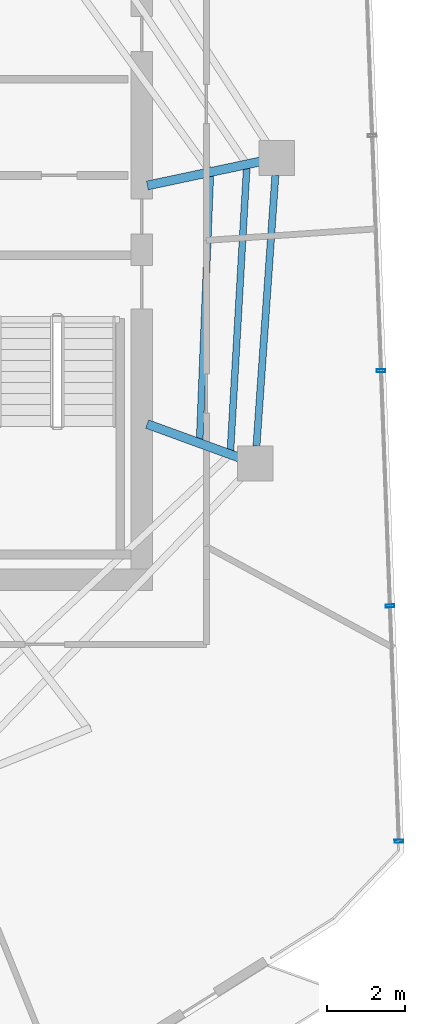
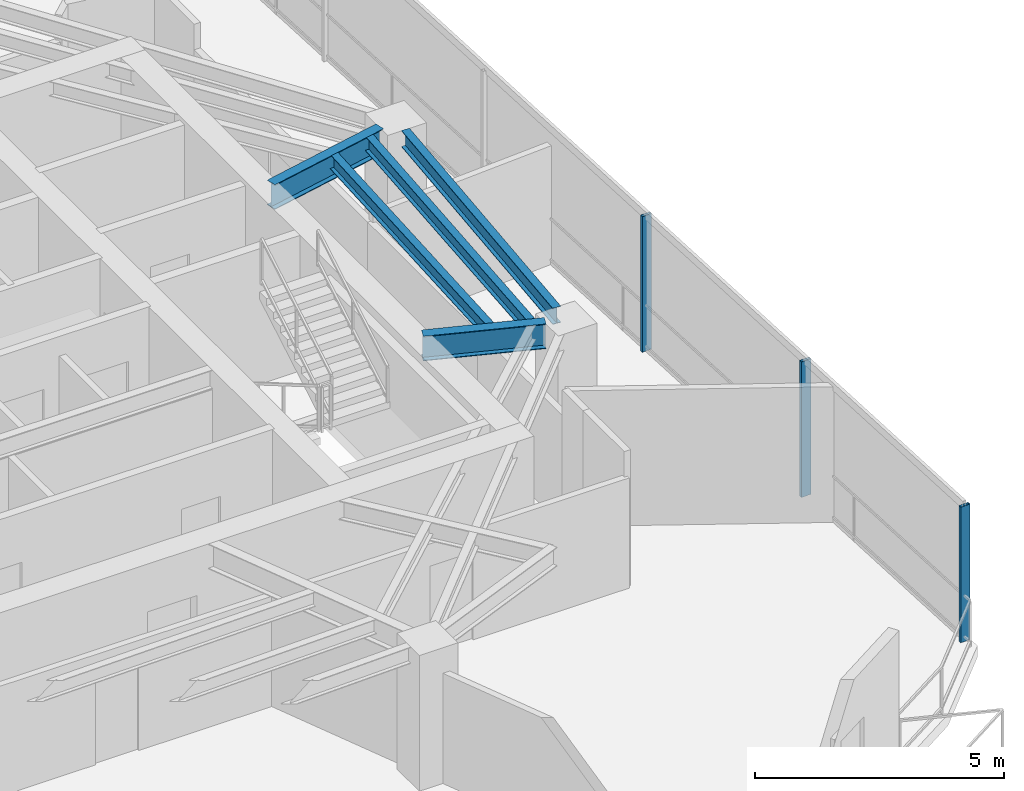
# One storey, part 7 of 19: 5 beams, 3 members, 1 element without a shape of its own.
"""IFC4 building model written with IfcOpenShell, lengths in metres."""

from ifc_helpers import new_model, si_unit, direction, frame, origin, origin_2d, place, context, subcontext, project, spatial, hollow_rectangle, i_section, extrude, material, layer, layer_set, material_profile, profile_set, type_object, element, aggregate, save


model = new_model("IFC4")

# Units and contexts
model_context = context("Model", 3, precision=1e-05, world=origin(), true_north=direction((0.0, 1.0)))
body_context = subcontext(model_context, "Body", "Model", "MODEL_VIEW")
ifc_project = project(units=[si_unit("LENGTHUNIT", "METRE"), si_unit("AREAUNIT", "SQUARE_METRE"), si_unit("VOLUMEUNIT", "CUBIC_METRE"), si_unit("PLANEANGLEUNIT", "RADIAN"), si_unit("MASSUNIT", "GRAM", prefix="KILO")], contexts=[model_context])

# Site, building, storey
site_placement = place(None, origin())
site = spatial("IfcSite", under=ifc_project, at=site_placement, CompositionType="ELEMENT")
building_placement = place(site_placement, origin())
building = spatial("IfcBuilding", under=site, at=building_placement, Name="Qarnah Convention Tower", CompositionType="ELEMENT")
storey_placement = place(building_placement, frame((0.0, 0.0, 187.800048828125)))
storey = spatial("IfcBuildingStorey", under=building, at=storey_placement, Name="L50", CompositionType="ELEMENT", Elevation=187.800048828125)

# Beams
ifc_material_1 = material(Name="Structural steel S355JR", Category="steel")
ifc_material_profile_1 = material_profile(ifc_material_1, i_section(OverallWidth=0.172119140625, OverallDepth=0.35595703125, WebThickness=0.007080078125, FlangeThickness=0.011962890625, at=origin_2d()), Name="W360X51")
ifc_profile_set_1 = profile_set([ifc_material_profile_1], Name="Structural steel S355JR")
beam_type_1 = type_object("IfcBeamType", Name="BM-JST-W360", PredefinedType="JOIST", material=ifc_profile_set_1)
beam_1_placement = place(storey_placement, frame((49.864990234375, 21.882080078125, 3.141845703125), z_axis=(0.057342500082, 0.998354565114, 0.0), x_axis=(-0.998354565114, 0.057342500082, 0.0)))
element("IfcBeam", 1, at=beam_1_placement, inside=storey, type_object=beam_type_1, Name="L50 joist BM-L50-SJST-09", PredefinedType="JOIST", context=body_context, shape_type="SweptSolid", body=[
    extrude(i_section(OverallWidth=0.172119140625, OverallDepth=0.35595703125, WebThickness=0.007080078125, FlangeThickness=0.011962890625, at=origin_2d()), origin(), (0.0, 0.0, 1.0), 7.220947265625),
])
beam_2_placement = place(storey_placement, frame((49.0810546875, 22.166015625, 3.141845703125), z_axis=(0.040101253975, 0.999195621202, 0.0), x_axis=(-0.999195621202, 0.040101253975, 0.0)))
element("IfcBeam", 2, at=beam_2_placement, inside=storey, type_object=beam_type_1, Name="L50 joist BM-L50-IJST-09", PredefinedType="JOIST", context=body_context, shape_type="SweptSolid", body=[
    extrude(i_section(OverallWidth=0.172119140625, OverallDepth=0.35595703125, WebThickness=0.007080078125, FlangeThickness=0.011962890625, at=origin_2d()), origin(), (0.0, 0.0, 1.0), 6.7333984375),
])
ifc_material_profile_2 = material_profile(ifc_material_1, i_section(OverallWidth=0.22802734375, OverallDepth=0.60791015625, WebThickness=0.010986328125, FlangeThickness=0.01708984375, at=origin_2d()), Name="W610X113")
ifc_profile_set_2 = profile_set([ifc_material_profile_2], Name="Structural steel S355JR")
beam_type_2 = type_object("IfcBeamType", Name="BM-RAD-W610B", PredefinedType="BEAM", material=ifc_profile_set_2)
beam_3_placement = place(storey_placement, frame((47.7470703125, 28.64208984375, 3.015869140625), z_axis=(0.978136876062, 0.207962140033, 0.0), x_axis=(-0.207962140033, 0.978136876062, 0.0)))
element("IfcBeam", 3, at=beam_3_placement, inside=storey, type_object=beam_type_2, Name="L50 beam BM-L50-RAD-01", PredefinedType="BEAM", context=body_context, shape_type="SweptSolid", body=[
    extrude(i_section(OverallWidth=0.22802734375, OverallDepth=0.60791015625, WebThickness=0.010986328125, FlangeThickness=0.01708984375, at=origin_2d()), origin(), (0.0, 0.0, 1.0), 2.937255859375),
])
beam_4_placement = place(storey_placement, frame((47.740966796875, 22.56298828125, 3.015869140625), z_axis=(0.939707956932, -0.341978004671, 0.0), x_axis=(0.341978004671, 0.939707956932, 0.0)))
element("IfcBeam", 4, at=beam_4_placement, inside=storey, type_object=beam_type_2, Name="L50 beam BM-L50-RAD-09", PredefinedType="BEAM", context=body_context, shape_type="SweptSolid", body=[
    extrude(i_section(OverallWidth=0.22802734375, OverallDepth=0.60791015625, WebThickness=0.010986328125, FlangeThickness=0.01708984375, at=origin_2d()), origin(), (0.0, 0.0, 1.0), 2.5029296875),
])
ifc_material_profile_3 = material_profile(ifc_material_1, i_section(OverallWidth=0.179931640625, OverallDepth=0.39990234375, WebThickness=0.009033203125, FlangeThickness=0.013916015625, at=origin_2d()), Name="IPE400")
ifc_profile_set_3 = profile_set([ifc_material_profile_3], Name="Structural steel S355JR")
beam_type_3 = type_object("IfcBeamType", Name="BM-SPN-IPE400", PredefinedType="SPANDREL", material=ifc_profile_set_3)
beam_5_placement = place(storey_placement, frame((50.528076171875, 21.9990234375, 3.119873046875), z_axis=(0.069635000818, 0.997572537042, 0.0), x_axis=(-0.997572537042, 0.069635000818, 0.0)))
element("IfcBeam", 5, at=beam_5_placement, inside=storey, type_object=beam_type_3, Name="L50 spandrel BM-L50-SPN-09", PredefinedType="SPANDREL", context=body_context, shape_type="SweptSolid", body=[
    extrude(i_section(OverallWidth=0.179931640625, OverallDepth=0.39990234375, WebThickness=0.009033203125, FlangeThickness=0.013916015625, at=origin_2d()), origin(), (0.0, 0.0, 1.0), 6.9208984375),
])

# Curtain wall, members
ifc_material_2 = material(Name="Tempered Low-E dark glass", Category="glass")
ifc_layer = layer(ifc_material_2, 0.174072265625)
ifc_layer_set = layer_set([ifc_layer], Name="Tempered Low-E dark glass")
curtain_wall_type = type_object("IfcCurtainWallType", Name="CWS-04", PredefinedType="NOTDEFINED", material=ifc_layer_set)
curtain_wall_placement = place(storey_placement, origin())
curtain_wall = element("IfcCurtainWall", 6, at=curtain_wall_placement, inside=storey, type_object=curtain_wall_type, Name="L50 unitised curtain wall CW-L50-F1", PredefinedType="NOTDEFINED")
ifc_material_3 = material(Name="Black anodised aluminium", Category="aluminium")
ifc_material_profile_4 = material_profile(ifc_material_3, hollow_rectangle(XDim=0.074951171875, YDim=0.219970703125, WallThickness=0.0048828125, at=origin_2d()), Name="MUL-75X220")
ifc_profile_set_4 = profile_set([ifc_material_profile_4], Name="Black anodised aluminium")
member_type = type_object("IfcMemberType", Name="MUL-T4", PredefinedType="MULLION", material=ifc_profile_set_4)
member_1_placement = place(storey_placement, frame((53.70361328125, 23.92138671875, 0.0), z_axis=(0.0, 0.0, 1.0), x_axis=(0.037709646698, -0.999288738326, 0.0)))
member_1 = element("IfcMember", 7, at=member_1_placement, type_object=member_type, Name="CW-L50-F1 mullion 4", PredefinedType="MULLION", context=body_context, shape_type="SweptSolid", body=[
    extrude(hollow_rectangle(XDim=0.074951171875, YDim=0.219970703125, WallThickness=0.0048828125, at=origin_2d()), origin(), (0.0, 0.0, 1.0), 3.320068359375),
])
member_2_placement = place(storey_placement, frame((53.9296875, 17.92724609375, 0.0), z_axis=(0.0, 0.0, 1.0), x_axis=(0.037709646698, -0.999288738326, 0.0)))
member_2 = element("IfcMember", 8, at=member_2_placement, type_object=member_type, Name="CW-L50-F1 mullion 5", PredefinedType="MULLION", context=body_context, shape_type="SweptSolid", body=[
    extrude(hollow_rectangle(XDim=0.074951171875, YDim=0.219970703125, WallThickness=0.0048828125, at=origin_2d()), origin(), (0.0, 0.0, 1.0), 3.320068359375),
])
member_3_placement = place(storey_placement, frame((54.156005859375, 11.93310546875, 0.0), z_axis=(0.0, 0.0, 1.0), x_axis=(0.037709646698, -0.999288738326, 0.0)))
member_3 = element("IfcMember", 9, at=member_3_placement, type_object=member_type, Name="CW-L50-F1 mullion 6", PredefinedType="MULLION", context=body_context, shape_type="SweptSolid", body=[
    extrude(hollow_rectangle(XDim=0.074951171875, YDim=0.219970703125, WallThickness=0.0048828125, at=origin_2d()), origin(), (0.0, 0.0, 1.0), 3.320068359375),
])
aggregate(curtain_wall, [member_1, member_2, member_3])

save(model, "model.ifc")
